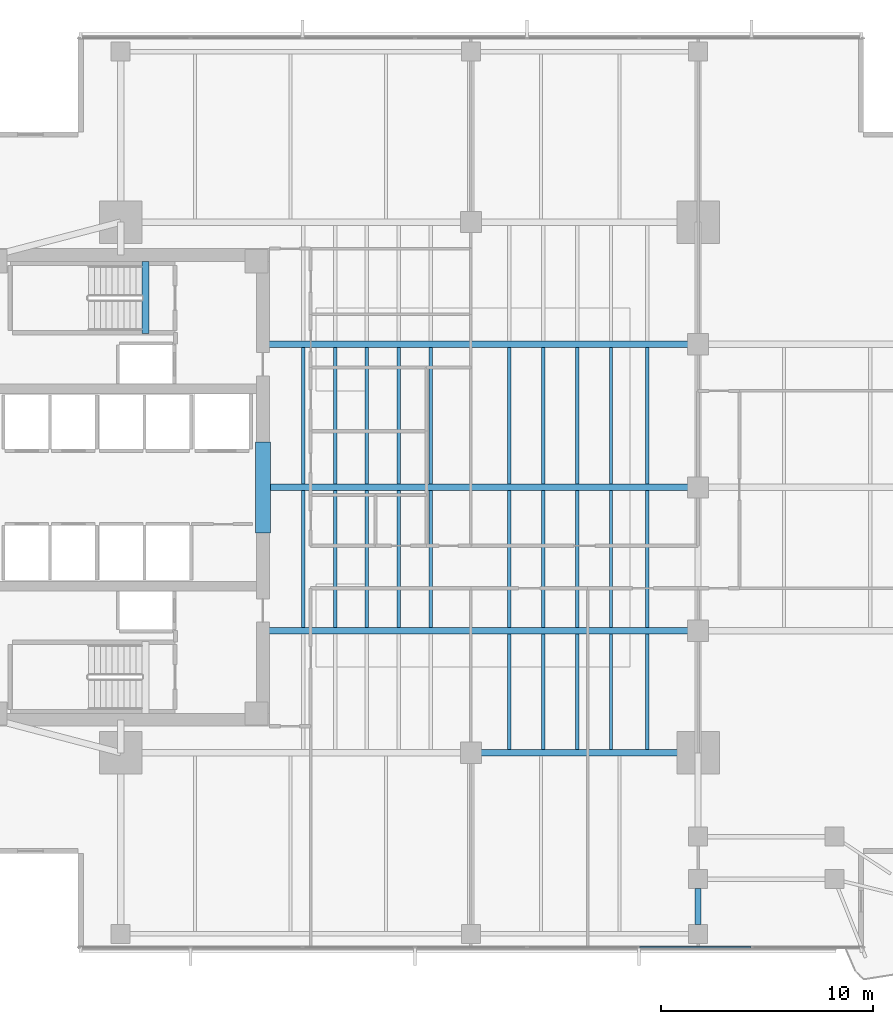
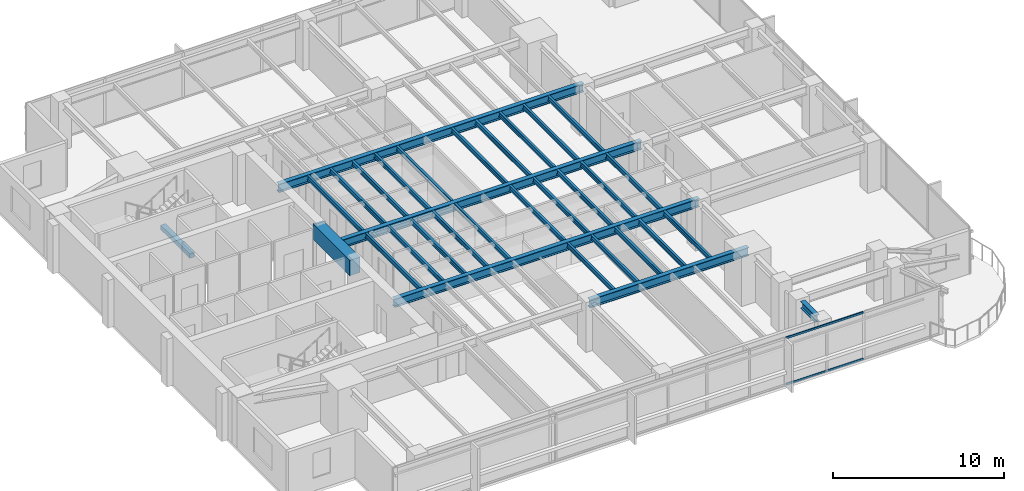
# One storey, part 3 of 15: 32 beams, 2 members, 1 element without a shape of its own.
"""IFC4 building model written with IfcOpenShell, lengths in metres."""

from ifc_helpers import new_model, si_unit, direction, frame, origin, origin_2d, place, context, subcontext, project, spatial, rectangle, i_section, extrude, material, layer, layer_set, material_profile, profile_set, type_object, element, aggregate, save


model = new_model("IFC4")

# Units and contexts
model_context = context("Model", 3, precision=1e-05, world=origin(), true_north=direction((0.0, 1.0)))
body_context = subcontext(model_context, "Body", "Model", "MODEL_VIEW")
ifc_project = project(units=[si_unit("LENGTHUNIT", "METRE"), si_unit("AREAUNIT", "SQUARE_METRE"), si_unit("VOLUMEUNIT", "CUBIC_METRE"), si_unit("PLANEANGLEUNIT", "RADIAN"), si_unit("MASSUNIT", "GRAM", prefix="KILO")], contexts=[model_context])

# Site, building, storey
site_placement = place(None, origin())
site = spatial("IfcSite", under=ifc_project, at=site_placement, CompositionType="ELEMENT")
building_placement = place(site_placement, origin())
building = spatial("IfcBuilding", under=site, at=building_placement, Name="Kinhvarn Gate Tower", CompositionType="ELEMENT")
storey_placement = place(building_placement, frame((0.0, 0.0, 109.35009765625)))
storey = spatial("IfcBuildingStorey", under=building, at=storey_placement, Name="L28", CompositionType="ELEMENT", Elevation=109.35009765625)

# Beams
ifc_material_1 = material(Name="Concrete C70/85", Category="concrete")
ifc_material_profile_1 = material_profile(ifc_material_1, rectangle(XDim=0.699951171875, YDim=1.10009765625, at=origin_2d()), Name="RC 700x1100")
ifc_profile_set_1 = profile_set([ifc_material_profile_1], Name="Concrete C70/85")
beam_type_1 = type_object("IfcBeamType", Name="BM-CB-1100", PredefinedType="LINTEL", material=ifc_profile_set_1)
beam_1_placement = place(storey_placement, frame((17.699951171875, 23.10009765625, 2.81982421875), z_axis=(0.0, 1.0, 0.0), x_axis=(-1.0, 0.0, 0.0)))
element("IfcBeam", 1, at=beam_1_placement, inside=storey, type_object=beam_type_1, Name="Core East Portal Coupling Beam L28", PredefinedType="LINTEL", context=body_context, shape_type="SweptSolid", body=[
    extrude(rectangle(XDim=0.699951171875, YDim=1.10009765625, at=origin_2d()), origin(), (0.0, 0.0, 1.0), 4.2998046875),
])
ifc_material_2 = material(Name="Concrete C50/60", Category="concrete")
ifc_material_profile_2 = material_profile(ifc_material_2, rectangle(XDim=0.340087890625, YDim=0.320068359375, at=origin_2d()), Name="RC 340x320")
ifc_profile_set_2 = profile_set([ifc_material_profile_2], Name="Concrete C50/60")
beam_type_2 = type_object("IfcBeamType", Name="BM-LND-500", PredefinedType="BEAM", material=ifc_profile_set_2)
beam_2_placement = place(storey_placement, frame((12.1650390625, 32.5, -0.16015625), z_axis=(0.0, 1.0, 0.0), x_axis=(-1.0, 0.0, 0.0)))
element("IfcBeam", 2, at=beam_2_placement, inside=storey, type_object=beam_type_2, Name="Stair ST2 Landing Nosing Beam (L28)", PredefinedType="BEAM", context=body_context, shape_type="SweptSolid", body=[
    extrude(rectangle(XDim=0.340087890625, YDim=0.320068359375, at=origin_2d()), origin(), (0.0, 0.0, 1.0), 3.39990234375),
])

# Curtain wall, members
ifc_material_3 = material(Name="Anodised aluminium AW-6063", Category="aluminium")
ifc_layer = layer(ifc_material_3, 0.179931640625)
ifc_layer_set = layer_set([ifc_layer], Name="Anodised aluminium AW-6063")
curtain_wall_type = type_object("IfcCurtainWallType", Name="CW-SYS-3", PredefinedType="NOTDEFINED", material=ifc_layer_set)
curtain_wall_placement = place(storey_placement, origin())
curtain_wall = element("IfcCurtainWall", 3, at=curtain_wall_placement, inside=storey, type_object=curtain_wall_type, Name="Curtain Wall CW3 (L28)", PredefinedType="NOTDEFINED")
ifc_material_profile_3 = material_profile(ifc_material_3, rectangle(XDim=0.070068359375, YDim=0.139892578125, at=origin_2d()), Name="ALU 70x140")
ifc_profile_set_3 = profile_set([ifc_material_profile_3], Name="Anodised aluminium AW-6063")
member_type = type_object("IfcMemberType", Name="CW-TRN-140", PredefinedType="USERDEFINED", material=ifc_profile_set_3)
member_1_placement = place(storey_placement, frame((35.461181640625, 3.590087890625, 0.034912109375), z_axis=(1.0, 0.0, 0.0), x_axis=(0.0, 1.0, 0.0)))
member_1 = element("IfcMember", 4, at=member_1_placement, type_object=member_type, Name="CW3 transom 6.1", ObjectType="TRANSOM", PredefinedType="USERDEFINED", context=body_context, shape_type="SweptSolid", body=[
    extrude(rectangle(XDim=0.070068359375, YDim=0.139892578125, at=origin_2d()), origin(), (0.0, 0.0, 1.0), 5.220703125),
])
member_2_placement = place(storey_placement, frame((35.461181640625, 3.590087890625, 3.3349609375), z_axis=(1.0, 0.0, 0.0), x_axis=(0.0, 1.0, 0.0)))
member_2 = element("IfcMember", 5, at=member_2_placement, type_object=member_type, Name="CW3 transom 6.2", ObjectType="TRANSOM", PredefinedType="USERDEFINED", context=body_context, shape_type="SweptSolid", body=[
    extrude(rectangle(XDim=0.070068359375, YDim=0.139892578125, at=origin_2d()), origin(), (0.0, 0.0, 1.0), 5.220703125),
])
aggregate(curtain_wall, [member_1, member_2])

# Beams
ifc_material_4 = material(Name="Steel S355", Category="steel")
ifc_material_profile_4 = material_profile(ifc_material_4, i_section(OverallWidth=0.300048828125, OverallDepth=0.5, WebThickness=0.014404296875, FlangeThickness=0.028076171875, at=origin_2d()), Name="HEB 500")
ifc_profile_set_4 = profile_set([ifc_material_profile_4], Name="Steel S355")
beam_type_3 = type_object("IfcBeamType", Name="STL-HEB500", PredefinedType="BEAM", material=ifc_profile_set_4)
beam_3_placement = place(storey_placement, frame((38.199951171875, 4.655029296875, 3.119873046875), z_axis=(0.0, 1.0, 0.0), x_axis=(-1.0, 0.0, 0.0)))
element("IfcBeam", 6, at=beam_3_placement, inside=storey, type_object=beam_type_3, Name="Floor Beam PG-14 (L28 MCE-S-A0)", PredefinedType="BEAM", context=body_context, shape_type="SweptSolid", body=[
    extrude(i_section(OverallWidth=0.300048828125, OverallDepth=0.5, WebThickness=0.014404296875, FlangeThickness=0.028076171875, at=origin_2d()), origin(), (0.0, 0.0, 1.0), 1.7099609375),
])
ifc_material_profile_5 = material_profile(ifc_material_4, i_section(OverallWidth=0.300048828125, OverallDepth=0.60009765625, WebThickness=0.015380859375, FlangeThickness=0.030029296875, at=origin_2d()), Name="HEB 600")
ifc_profile_set_5 = profile_set([ifc_material_profile_5], Name="Steel S355")
beam_type_4 = type_object("IfcBeamType", Name="STL-HEB600", PredefinedType="BEAM", material=ifc_profile_set_5)
beam_4_placement = place(storey_placement, frame((27.5, 12.75, 3.06982421875), z_axis=(1.0, 0.0, 0.0), x_axis=(0.0, 1.0, 0.0)))
element("IfcBeam", 7, at=beam_4_placement, inside=storey, type_object=beam_type_4, Name="Floor Beam PG-16 (L28 MG-S2)", PredefinedType="BEAM", context=body_context, shape_type="SweptSolid", body=[
    extrude(i_section(OverallWidth=0.300048828125, OverallDepth=0.60009765625, WebThickness=0.015380859375, FlangeThickness=0.030029296875, at=origin_2d()), origin(), (0.0, 0.0, 1.0), 10.699951171875),
])
beam_5_placement = place(storey_placement, frame((17.64990234375, 18.5, 3.06982421875), z_axis=(1.0, 0.0, 0.0), x_axis=(0.0, 1.0, 0.0)))
element("IfcBeam", 8, at=beam_5_placement, inside=storey, type_object=beam_type_4, Name="Floor Beam PG-16 (L28 EW1-Y18)", PredefinedType="BEAM", context=body_context, shape_type="SweptSolid", body=[
    extrude(i_section(OverallWidth=0.300048828125, OverallDepth=0.60009765625, WebThickness=0.015380859375, FlangeThickness=0.030029296875, at=origin_2d()), origin(), (0.0, 0.0, 1.0), 20.550048828125),
])
beam_6_placement = place(storey_placement, frame((18.050048828125, 25.25, 3.06982421875), z_axis=(1.0, 0.0, 0.0), x_axis=(0.0, 1.0, 0.0)))
element("IfcBeam", 9, at=beam_6_placement, inside=storey, type_object=beam_type_4, Name="Floor Beam PG-16 (L28 EW1-Y25)", PredefinedType="BEAM", context=body_context, shape_type="SweptSolid", body=[
    extrude(i_section(OverallWidth=0.300048828125, OverallDepth=0.60009765625, WebThickness=0.015380859375, FlangeThickness=0.030029296875, at=origin_2d()), origin(), (0.0, 0.0, 1.0), 20.14990234375),
])
beam_7_placement = place(storey_placement, frame((17.64990234375, 32.0, 3.06982421875), z_axis=(1.0, 0.0, 0.0), x_axis=(0.0, 1.0, 0.0)))
element("IfcBeam", 10, at=beam_7_placement, inside=storey, type_object=beam_type_4, Name="Floor Beam PG-16 (L28 EW1-Y32)", PredefinedType="BEAM", context=body_context, shape_type="SweptSolid", body=[
    extrude(i_section(OverallWidth=0.300048828125, OverallDepth=0.60009765625, WebThickness=0.015380859375, FlangeThickness=0.030029296875, at=origin_2d()), origin(), (0.0, 0.0, 1.0), 20.550048828125),
])
ifc_material_profile_6 = material_profile(ifc_material_4, i_section(OverallWidth=0.159912109375, OverallDepth=0.330078125, WebThickness=0.007568359375, FlangeThickness=0.011474609375, at=origin_2d()), Name="IPE 330")
ifc_profile_set_6 = profile_set([ifc_material_profile_6], Name="Steel S355")
beam_type_5 = type_object("IfcBeamType", Name="STL-IPE330", PredefinedType="JOIST", material=ifc_profile_set_6)
for number, where, z_axis, x_axis, name in (
    (11, (19.60009765625, 18.64990234375, 3.204833984375), (0.0, 1.0, 0.0), (-1.0, 0.0, 0.0), "Floor Joist SB-03 (L28 JC-X196-1)"),
    (12, (19.60009765625, 25.39990234375, 3.204833984375), (0.0, 1.0, 0.0), (-1.0, 0.0, 0.0), "Floor Joist SB-03 (L28 JC-X196-2)"),
    (13, (21.10009765625, 18.64990234375, 3.204833984375), (0.0, 1.0, 0.0), (-1.0, 0.0, 0.0), "Floor Joist SB-03 (L28 JC-X211-1)"),
    (14, (21.10009765625, 25.39990234375, 3.204833984375), (0.0, 1.0, 0.0), (-1.0, 0.0, 0.0), "Floor Joist SB-03 (L28 JC-X211-2)"),
    (15, (22.60009765625, 18.64990234375, 3.204833984375), (0.0, 1.0, 0.0), (-1.0, 0.0, 0.0), "Floor Joist SB-03 (L28 JC-X226-1)"),
    (16, (22.60009765625, 25.39990234375, 3.204833984375), (0.0, 1.0, 0.0), (-1.0, 0.0, 0.0), "Floor Joist SB-03 (L28 JC-X226-2)"),
    (17, (24.10009765625, 18.64990234375, 3.204833984375), (0.0, 1.0, 0.0), (-1.0, 0.0, 0.0), "Floor Joist SB-03 (L28 JC-X241-1)"),
    (18, (24.10009765625, 25.39990234375, 3.204833984375), (0.0, 1.0, 0.0), (-1.0, 0.0, 0.0), "Floor Joist SB-03 (L28 JC-X241-2)"),
    (19, (25.60009765625, 18.64990234375, 3.204833984375), (0.0, 1.0, 0.0), (-1.0, 0.0, 0.0), "Floor Joist SB-03 (L28 JC-X256-1)"),
    (20, (25.60009765625, 25.39990234375, 3.204833984375), (0.0, 1.0, 0.0), (-1.0, 0.0, 0.0), "Floor Joist SB-03 (L28 JC-X256-2)"),
):
    element("IfcBeam", number, at=place(storey_placement, frame(where, z_axis=z_axis, x_axis=x_axis)), inside=storey, type_object=beam_type_5, Name=name, PredefinedType="JOIST", context=body_context, shape_type="SweptSolid", body=[
        extrude(i_section(OverallWidth=0.159912109375, OverallDepth=0.330078125, WebThickness=0.007568359375, FlangeThickness=0.011474609375, at=origin_2d()), origin(), (0.0, 0.0, 1.0), 6.4501953125),
    ])
beam_8_placement = place(storey_placement, frame((29.300048828125, 12.89990234375, 3.204833984375), z_axis=(0.0, 1.0, 0.0), x_axis=(-1.0, 0.0, 0.0)))
element("IfcBeam", 21, at=beam_8_placement, inside=storey, type_object=beam_type_5, Name="Floor Joist SB-03 (L28 JC-X293-0)", PredefinedType="JOIST", context=body_context, shape_type="SweptSolid", body=[
    extrude(i_section(OverallWidth=0.159912109375, OverallDepth=0.330078125, WebThickness=0.007568359375, FlangeThickness=0.011474609375, at=origin_2d()), origin(), (0.0, 0.0, 1.0), 5.4501953125),
])
for number, where, z_axis, x_axis, name in (
    (22, (29.300048828125, 18.64990234375, 3.204833984375), (0.0, 1.0, 0.0), (-1.0, 0.0, 0.0), "Floor Joist SB-03 (L28 JC-X293-1)"),
    (23, (29.300048828125, 25.39990234375, 3.204833984375), (0.0, 1.0, 0.0), (-1.0, 0.0, 0.0), "Floor Joist SB-03 (L28 JC-X293-2)"),
):
    element("IfcBeam", number, at=place(storey_placement, frame(where, z_axis=z_axis, x_axis=x_axis)), inside=storey, type_object=beam_type_5, Name=name, PredefinedType="JOIST", context=body_context, shape_type="SweptSolid", body=[
        extrude(i_section(OverallWidth=0.159912109375, OverallDepth=0.330078125, WebThickness=0.007568359375, FlangeThickness=0.011474609375, at=origin_2d()), origin(), (0.0, 0.0, 1.0), 6.4501953125),
    ])
beam_9_placement = place(storey_placement, frame((30.89990234375, 12.89990234375, 3.204833984375), z_axis=(0.0, 1.0, 0.0), x_axis=(-1.0, 0.0, 0.0)))
element("IfcBeam", 24, at=beam_9_placement, inside=storey, type_object=beam_type_5, Name="Floor Joist SB-03 (L28 JC-X309-0)", PredefinedType="JOIST", context=body_context, shape_type="SweptSolid", body=[
    extrude(i_section(OverallWidth=0.159912109375, OverallDepth=0.330078125, WebThickness=0.007568359375, FlangeThickness=0.011474609375, at=origin_2d()), origin(), (0.0, 0.0, 1.0), 5.4501953125),
])
for number, where, z_axis, x_axis, name in (
    (25, (30.89990234375, 18.64990234375, 3.204833984375), (0.0, 1.0, 0.0), (-1.0, 0.0, 0.0), "Floor Joist SB-03 (L28 JC-X309-1)"),
    (26, (30.89990234375, 25.39990234375, 3.204833984375), (0.0, 1.0, 0.0), (-1.0, 0.0, 0.0), "Floor Joist SB-03 (L28 JC-X309-2)"),
):
    element("IfcBeam", number, at=place(storey_placement, frame(where, z_axis=z_axis, x_axis=x_axis)), inside=storey, type_object=beam_type_5, Name=name, PredefinedType="JOIST", context=body_context, shape_type="SweptSolid", body=[
        extrude(i_section(OverallWidth=0.159912109375, OverallDepth=0.330078125, WebThickness=0.007568359375, FlangeThickness=0.011474609375, at=origin_2d()), origin(), (0.0, 0.0, 1.0), 6.4501953125),
    ])
beam_10_placement = place(storey_placement, frame((32.5, 12.89990234375, 3.204833984375), z_axis=(0.0, 1.0, 0.0), x_axis=(-1.0, 0.0, 0.0)))
element("IfcBeam", 27, at=beam_10_placement, inside=storey, type_object=beam_type_5, Name="Floor Joist SB-03 (L28 JC-X325-0)", PredefinedType="JOIST", context=body_context, shape_type="SweptSolid", body=[
    extrude(i_section(OverallWidth=0.159912109375, OverallDepth=0.330078125, WebThickness=0.007568359375, FlangeThickness=0.011474609375, at=origin_2d()), origin(), (0.0, 0.0, 1.0), 5.4501953125),
])
for number, where, z_axis, x_axis, name in (
    (28, (32.5, 18.64990234375, 3.204833984375), (0.0, 1.0, 0.0), (-1.0, 0.0, 0.0), "Floor Joist SB-03 (L28 JC-X325-1)"),
    (29, (32.5, 25.39990234375, 3.204833984375), (0.0, 1.0, 0.0), (-1.0, 0.0, 0.0), "Floor Joist SB-03 (L28 JC-X325-2)"),
):
    element("IfcBeam", number, at=place(storey_placement, frame(where, z_axis=z_axis, x_axis=x_axis)), inside=storey, type_object=beam_type_5, Name=name, PredefinedType="JOIST", context=body_context, shape_type="SweptSolid", body=[
        extrude(i_section(OverallWidth=0.159912109375, OverallDepth=0.330078125, WebThickness=0.007568359375, FlangeThickness=0.011474609375, at=origin_2d()), origin(), (0.0, 0.0, 1.0), 6.4501953125),
    ])
beam_11_placement = place(storey_placement, frame((34.10009765625, 12.89990234375, 3.204833984375), z_axis=(0.0, 1.0, 0.0), x_axis=(-1.0, 0.0, 0.0)))
element("IfcBeam", 30, at=beam_11_placement, inside=storey, type_object=beam_type_5, Name="Floor Joist SB-03 (L28 JC-X341-0)", PredefinedType="JOIST", context=body_context, shape_type="SweptSolid", body=[
    extrude(i_section(OverallWidth=0.159912109375, OverallDepth=0.330078125, WebThickness=0.007568359375, FlangeThickness=0.011474609375, at=origin_2d()), origin(), (0.0, 0.0, 1.0), 5.4501953125),
])
for number, where, z_axis, x_axis, name in (
    (31, (34.10009765625, 18.64990234375, 3.204833984375), (0.0, 1.0, 0.0), (-1.0, 0.0, 0.0), "Floor Joist SB-03 (L28 JC-X341-1)"),
    (32, (34.10009765625, 25.39990234375, 3.204833984375), (0.0, 1.0, 0.0), (-1.0, 0.0, 0.0), "Floor Joist SB-03 (L28 JC-X341-2)"),
):
    element("IfcBeam", number, at=place(storey_placement, frame(where, z_axis=z_axis, x_axis=x_axis)), inside=storey, type_object=beam_type_5, Name=name, PredefinedType="JOIST", context=body_context, shape_type="SweptSolid", body=[
        extrude(i_section(OverallWidth=0.159912109375, OverallDepth=0.330078125, WebThickness=0.007568359375, FlangeThickness=0.011474609375, at=origin_2d()), origin(), (0.0, 0.0, 1.0), 6.4501953125),
    ])
beam_12_placement = place(storey_placement, frame((35.800048828125, 12.89990234375, 3.204833984375), z_axis=(0.0, 1.0, 0.0), x_axis=(-1.0, 0.0, 0.0)))
element("IfcBeam", 33, at=beam_12_placement, inside=storey, type_object=beam_type_5, Name="Floor Joist SB-03 (L28 JC-X358-0)", PredefinedType="JOIST", context=body_context, shape_type="SweptSolid", body=[
    extrude(i_section(OverallWidth=0.159912109375, OverallDepth=0.330078125, WebThickness=0.007568359375, FlangeThickness=0.011474609375, at=origin_2d()), origin(), (0.0, 0.0, 1.0), 5.4501953125),
])
for number, where, z_axis, x_axis, name in (
    (34, (35.800048828125, 18.64990234375, 3.204833984375), (0.0, 1.0, 0.0), (-1.0, 0.0, 0.0), "Floor Joist SB-03 (L28 JC-X358-1)"),
    (35, (35.800048828125, 25.39990234375, 3.204833984375), (0.0, 1.0, 0.0), (-1.0, 0.0, 0.0), "Floor Joist SB-03 (L28 JC-X358-2)"),
):
    element("IfcBeam", number, at=place(storey_placement, frame(where, z_axis=z_axis, x_axis=x_axis)), inside=storey, type_object=beam_type_5, Name=name, PredefinedType="JOIST", context=body_context, shape_type="SweptSolid", body=[
        extrude(i_section(OverallWidth=0.159912109375, OverallDepth=0.330078125, WebThickness=0.007568359375, FlangeThickness=0.011474609375, at=origin_2d()), origin(), (0.0, 0.0, 1.0), 6.4501953125),
    ])

save(model, "model.ifc")
